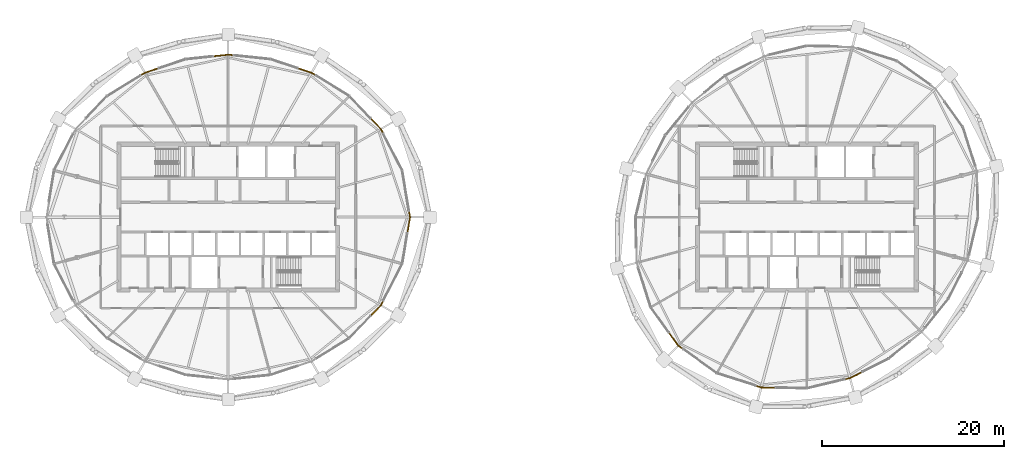
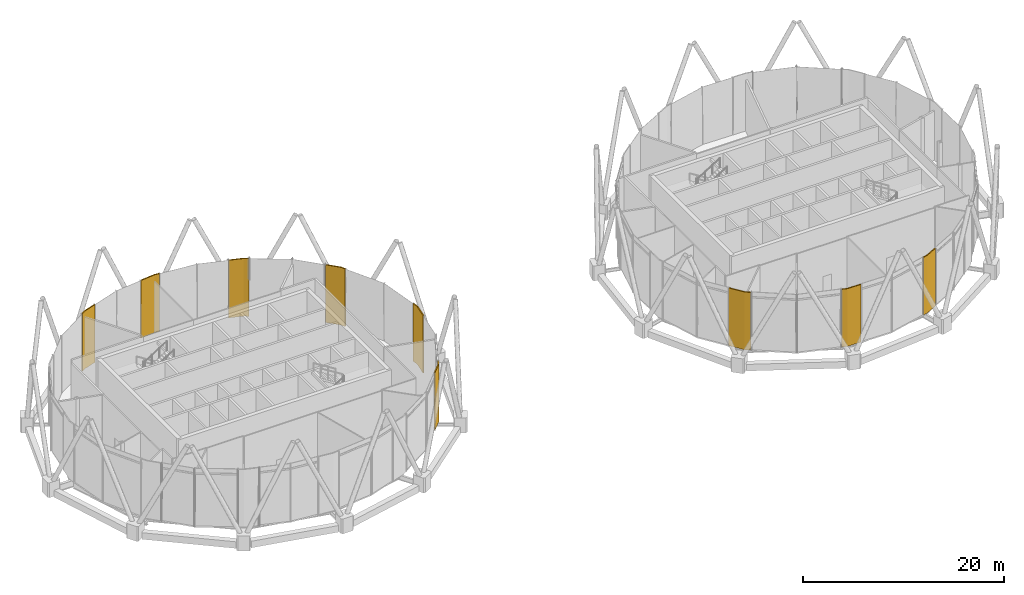
# One storey, part 26 of 28: 9 coverings.
"""IFC4 building model written with IfcOpenShell, lengths in metres."""

from ifc_helpers import new_model, si_unit, direction, frame, origin, place, context, subcontext, project, spatial, polyline, outline, extrude, material, layer, layer_set, type_object, element, save


model = new_model("IFC4")

# Units and contexts
model_context = context("Model", 3, precision=1e-05, world=origin(), true_north=direction((0.0, 1.0)))
body_context = subcontext(model_context, "Body", "Model", "MODEL_VIEW")
ifc_project = project(units=[si_unit("LENGTHUNIT", "METRE"), si_unit("AREAUNIT", "SQUARE_METRE"), si_unit("VOLUMEUNIT", "CUBIC_METRE"), si_unit("PLANEANGLEUNIT", "RADIAN"), si_unit("MASSUNIT", "GRAM", prefix="KILO")], contexts=[model_context])

# Site, building, storey
site_placement = place(None, origin())
site = spatial("IfcSite", under=ifc_project, at=site_placement, CompositionType="ELEMENT")
building_placement = place(site_placement, origin())
building = spatial("IfcBuilding", under=site, at=building_placement, Name="Rimbun Link Towers", CompositionType="ELEMENT")
storey_placement = place(building_placement, frame((0.0, 0.0, 256.10009765625)))
storey = spatial("IfcBuildingStorey", under=building, at=storey_placement, Name="L63", CompositionType="ELEMENT", Elevation=256.10009765625)

# Coverings
ifc_material = material(Name="Terracotta", Category="masonry")
ifc_layer = layer(ifc_material, 0.1201171875)
ifc_layer_set = layer_set([ifc_layer], Name="LINK PIER terracotta cladding 120")
covering_type = type_object("IfcCoveringType", Name="LINK PIER terracotta cladding 120", PredefinedType="CLADDING", material=ifc_layer_set)
covering_1_placement = place(storey_placement, origin())
element("IfcCovering", 1, at=covering_1_placement, inside=storey, type_object=covering_type, Name="LINK PIER cladding", PredefinedType="CLADDING", context=body_context, shape_type="SweptSolid", body=[
    extrude(outline(polyline([(-11.95458984375, 0.61181640625), (-11.85400390625, 0.0), (-12.133056640625, -1.697265625), (-12.0146484375, -1.716796875), (-11.732421875, 0.0), (-11.836181640625, 0.63134765625), (-11.95458984375, 0.61181640625)])), origin(), (0.0, 0.0, 1.0), 7.0),
])
covering_2_placement = place(storey_placement, origin())
element("IfcCovering", 2, at=covering_2_placement, inside=storey, type_object=covering_type, Name="LINK PIER cladding", PredefinedType="CLADDING", context=body_context, shape_type="SweptSolid", body=[
    extrude(outline(polyline([(-16.129150390625, 10.779296875), (-15.04248046875, 9.64599609375), (-14.8037109375, 9.18408203125), (-14.697021484375, 9.2392578125), (-14.944091796875, 9.716552734375), (-16.04248046875, 10.8623046875), (-16.129150390625, 10.779296875)])), origin(), (0.0, 0.0, 1.0), 7.0),
])
covering_3_placement = place(storey_placement, origin())
element("IfcCovering", 3, at=covering_3_placement, inside=storey, type_object=covering_type, Name="LINK PIER cladding", PredefinedType="CLADDING", context=body_context, shape_type="SweptSolid", body=[
    extrude(outline(polyline([(-24.07666015625, 16.26806640625), (-22.6337890625, 15.789794921875), (-22.190673828125, 15.517822265625), (-22.127685546875, 15.6201171875), (-22.582763671875, 15.8994140625), (-24.038818359375, 16.3818359375), (-24.07666015625, 16.26806640625)])), origin(), (0.0, 0.0, 1.0), 7.0),
])
covering_4_placement = place(storey_placement, origin())
element("IfcCovering", 4, at=covering_4_placement, inside=storey, type_object=covering_type, Name="LINK PIER cladding", PredefinedType="CLADDING", context=body_context, shape_type="SweptSolid", body=[
    extrude(outline(polyline([(-33.361083984375, 17.5947265625), (-31.75, 17.764404296875), (-31.18310546875, 17.70458984375), (-31.170654296875, 17.823974609375), (-31.75, 17.885009765625), (-33.373779296875, 17.7138671875), (-33.361083984375, 17.5947265625)])), origin(), (0.0, 0.0, 1.0), 7.0),
])
covering_5_placement = place(storey_placement, origin())
element("IfcCovering", 5, at=covering_5_placement, inside=storey, type_object=covering_type, Name="LINK PIER cladding", PredefinedType="CLADDING", context=body_context, shape_type="SweptSolid", body=[
    extrude(outline(polyline([(-41.309326171875, 15.517822265625), (-40.8662109375, 15.789794921875), (-39.42333984375, 16.26806640625), (-39.461181640625, 16.3818359375), (-40.917236328125, 15.8994140625), (-41.372314453125, 15.6201171875), (-41.309326171875, 15.517822265625)])), origin(), (0.0, 0.0, 1.0), 7.0),
])
covering_6_placement = place(storey_placement, origin())
element("IfcCovering", 6, at=covering_6_placement, inside=storey, type_object=covering_type, Name="LINK PIER cladding", PredefinedType="CLADDING", context=body_context, shape_type="SweptSolid", body=[
    extrude(outline(polyline([(-14.8037109375, -9.18408203125), (-15.04248046875, -9.64599609375), (-16.129150390625, -10.779296875), (-16.04248046875, -10.8623046875), (-14.944091796875, -9.716552734375), (-14.697021484375, -9.2392578125), (-14.8037109375, -9.18408203125)])), origin(), (0.0, 0.0, 1.0), 7.0),
])
covering_7_placement = place(storey_placement, origin())
element("IfcCovering", 7, at=covering_7_placement, inside=storey, type_object=covering_type, Name="LINK PIER cladding", PredefinedType="CLADDING", context=body_context, shape_type="SweptSolid", body=[
    extrude(outline(polyline([(18.18505859375, -14.43017578125), (17.681396484375, -14.068603515625), (16.6787109375, -12.671142578125), (16.5810546875, -12.7412109375), (17.595458984375, -14.154541015625), (18.115234375, -14.527587890625), (18.18505859375, -14.43017578125)])), origin(), (0.0, 0.0, 1.0), 7.0),
])
covering_8_placement = place(storey_placement, origin())
element("IfcCovering", 8, at=covering_8_placement, inside=storey, type_object=covering_type, Name="LINK PIER cladding", PredefinedType="CLADDING", context=body_context, shape_type="SweptSolid", body=[
    extrude(outline(polyline([(28.276611328125, -18.666748046875), (26.7568359375, -18.634765625), (26.213623046875, -18.4619140625), (26.17724609375, -18.576416015625), (26.737060546875, -18.75439453125), (28.27392578125, -18.78662109375), (28.276611328125, -18.666748046875)])), origin(), (0.0, 0.0, 1.0), 7.0),
])
covering_9_placement = place(storey_placement, origin())
element("IfcCovering", 9, at=covering_9_placement, inside=storey, type_object=covering_type, Name="LINK PIER cladding", PredefinedType="CLADDING", context=body_context, shape_type="SweptSolid", body=[
    extrude(outline(polyline([(37.782470703125, -16.95166015625), (36.468994140625, -17.611328125), (35.963134765625, -17.732177734375), (35.990966796875, -17.848876953125), (36.51025390625, -17.724853515625), (37.83642578125, -17.058837890625), (37.782470703125, -16.95166015625)])), origin(), (0.0, 0.0, 1.0), 7.0),
])

save(model, "model.ifc")
